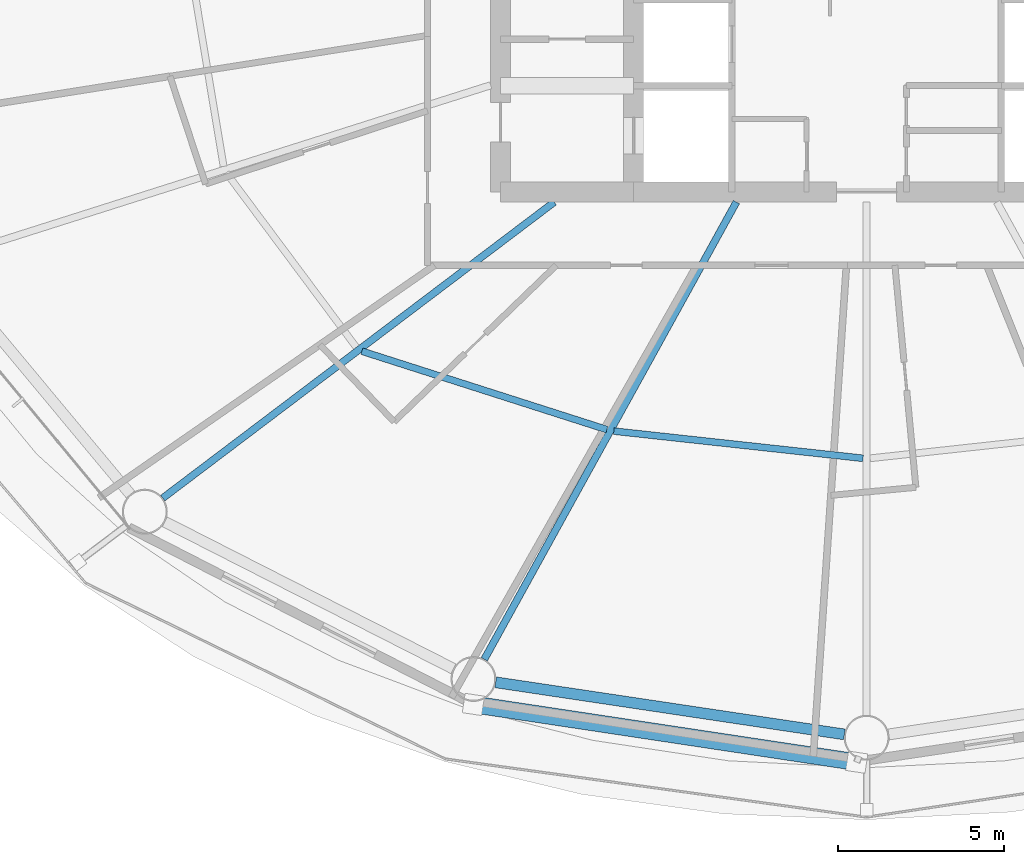
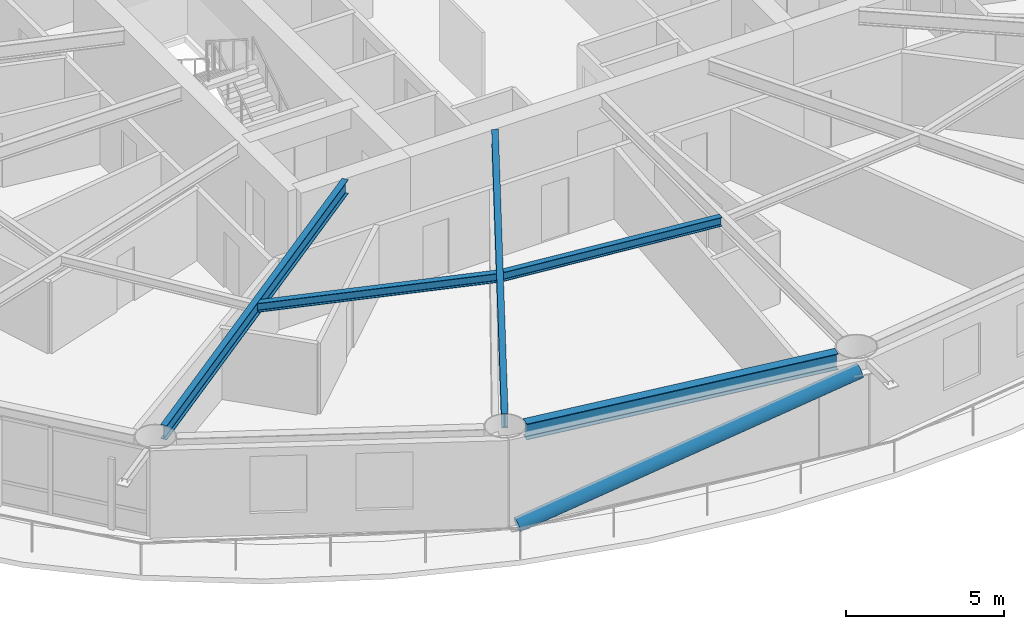
# One storey, part 3 of 26: 5 beams, 1 member.
"""IFC4 building model written with IfcOpenShell, lengths in metres."""

from ifc_helpers import new_model, si_unit, direction, frame, origin, origin_2d, place, context, subcontext, project, spatial, hollow_circle, i_section, extrude, material, material_profile, profile_set, type_object, element, save


model = new_model("IFC4")

# Units and contexts
model_context = context("Model", 3, precision=1e-05, world=origin(), true_north=direction((0.0, 1.0)))
body_context = subcontext(model_context, "Body", "Model", "MODEL_VIEW")
ifc_project = project(units=[si_unit("LENGTHUNIT", "METRE"), si_unit("AREAUNIT", "SQUARE_METRE"), si_unit("VOLUMEUNIT", "CUBIC_METRE"), si_unit("PLANEANGLEUNIT", "RADIAN"), si_unit("MASSUNIT", "GRAM", prefix="KILO")], contexts=[model_context])

# Site, building, storey
site_placement = place(None, origin())
site = spatial("IfcSite", under=ifc_project, at=site_placement, CompositionType="ELEMENT")
building_placement = place(site_placement, origin())
building = spatial("IfcBuilding", under=site, at=building_placement, Name="Sarneth Arch Tower", CompositionType="ELEMENT")
storey_placement = place(building_placement, frame((0.0, 0.0, 60.60009765625)))
storey = spatial("IfcBuildingStorey", under=building, at=storey_placement, Name="L14", CompositionType="ELEMENT", Elevation=60.60009765625)

# Beams
ifc_material_1 = material(Name="Steel S355", Category="steel")
ifc_material_profile_1 = material_profile(ifc_material_1, i_section(OverallWidth=0.2041015625, OverallDepth=0.35009765625, WebThickness=0.008544921875, FlangeThickness=0.01513671875, FilletRadius=0.014892578125, at=origin_2d()), Name="W360x72")
ifc_profile_set_1 = profile_set([ifc_material_profile_1], Name="Steel S355")
beam_type_1 = type_object("IfcBeamType", Name="BM-JOIST-360D", PredefinedType="JOIST", material=ifc_profile_set_1)
beam_1_placement = place(storey_placement, frame((32.82763671875, 30.41845703125, 3.204833984375), z_axis=(0.952436240143, -0.304737934073, 0.0), x_axis=(0.304737934073, 0.952436240143, 0.0)))
element("IfcBeam", 1, at=beam_1_placement, inside=storey, type_object=beam_type_1, Name="L14 Secondary floor joist 11", PredefinedType="JOIST", context=body_context, shape_type="SweptSolid", body=[
    extrude(i_section(OverallWidth=0.2041015625, OverallDepth=0.35009765625, WebThickness=0.008544921875, FlangeThickness=0.01513671875, FilletRadius=0.014892578125, at=origin_2d()), origin(), (0.0, 0.0, 1.0), 7.735107421875),
])
beam_2_placement = place(storey_placement, frame((40.403076171875, 28.016845703125, 3.204833984375), z_axis=(0.994095251924, -0.108510967657, 0.0), x_axis=(0.108510967657, 0.994095251924, 0.0)))
element("IfcBeam", 2, at=beam_2_placement, inside=storey, type_object=beam_type_1, Name="L14 Secondary floor joist 12", PredefinedType="JOIST", context=body_context, shape_type="SweptSolid", body=[
    extrude(i_section(OverallWidth=0.2041015625, OverallDepth=0.35009765625, WebThickness=0.008544921875, FlangeThickness=0.01513671875, FilletRadius=0.014892578125, at=origin_2d()), origin(), (0.0, 0.0, 1.0), 7.534912109375),
])
ifc_material_2 = material(Name="Steel S355", Category="steel")
ifc_material_profile_2 = material_profile(ifc_material_2, i_section(OverallWidth=0.214111328125, OverallDepth=0.549072265625, WebThickness=0.0146484375, FlangeThickness=0.023681640625, FilletRadius=0.01806640625, at=origin_2d()), Name="W530x138")
ifc_profile_set_2 = profile_set([ifc_material_profile_2], Name="Steel S355")
beam_type_2 = type_object("IfcBeamType", Name="BM-RAD-530A", PredefinedType="BEAM", material=ifc_profile_set_2)
beam_3_placement = place(storey_placement, frame((38.609619140625, 34.89990234375, 3.10546875), z_axis=(-0.797656612852, -0.603111870198, 0.0), x_axis=(0.603111870198, -0.797656612852, 0.0)))
element("IfcBeam", 3, at=beam_3_placement, inside=storey, type_object=beam_type_2, Name="L14 Radial floor girder 11", PredefinedType="BEAM", context=body_context, shape_type="SweptSolid", body=[
    extrude(i_section(OverallWidth=0.214111328125, OverallDepth=0.549072265625, WebThickness=0.0146484375, FlangeThickness=0.023681640625, FilletRadius=0.01806640625, at=origin_2d()), origin(), (0.0, 0.0, 1.0), 14.7529296875),
])
beam_4_placement = place(storey_placement, frame((44.08544921875, 34.89990234375, 3.10546875), z_axis=(-0.482837562311, -0.875709933952, 0.0), x_axis=(0.875709933952, -0.482837562311, 0.0)))
element("IfcBeam", 4, at=beam_4_placement, inside=storey, type_object=beam_type_2, Name="L14 Radial floor girder 12", PredefinedType="BEAM", context=body_context, shape_type="SweptSolid", body=[
    extrude(i_section(OverallWidth=0.214111328125, OverallDepth=0.549072265625, WebThickness=0.0146484375, FlangeThickness=0.023681640625, FilletRadius=0.01806640625, at=origin_2d()), origin(), (0.0, 0.0, 1.0), 15.693359375),
])
ifc_material_3 = material(Name="Steel S355", Category="steel")
ifc_material_profile_3 = material_profile(ifc_material_3, i_section(OverallWidth=0.326904296875, OverallDepth=0.6220703125, WebThickness=0.015380859375, FlangeThickness=0.0244140625, FilletRadius=0.01904296875, at=origin_2d()), Name="W610x195")
ifc_profile_set_3 = profile_set([ifc_material_profile_3], Name="Steel S355")
beam_type_3 = type_object("IfcBeamType", Name="BM-SPAN-610A", PredefinedType="SPANDREL", material=ifc_profile_set_3)
beam_5_placement = place(storey_placement, frame((36.849853515625, 20.46630859375, 3.06884765625), z_axis=(0.989015788086, -0.147809914809, 0.0), x_axis=(0.147809914809, 0.989015788086, 0.0)))
element("IfcBeam", 5, at=beam_5_placement, inside=storey, type_object=beam_type_3, Name="L14 Perimeter spandrel beam 12", PredefinedType="SPANDREL", context=body_context, shape_type="SweptSolid", body=[
    extrude(i_section(OverallWidth=0.326904296875, OverallDepth=0.6220703125, WebThickness=0.015380859375, FlangeThickness=0.0244140625, FilletRadius=0.01904296875, at=origin_2d()), origin(), (0.0, 0.0, 1.0), 10.59912109375),
])

# Member
ifc_material_4 = material(Name="Steel S355", Category="steel")
ifc_material_profile_4 = material_profile(ifc_material_4, hollow_circle(Radius=0.25390625, WallThickness=0.01611328125, at=origin_2d()), Name="CHS508x16")
ifc_profile_set_4 = profile_set([ifc_material_profile_4], Name="Steel S355")
member_type = type_object("IfcMemberType", Name="MEM-DIAG-BR1", PredefinedType="BRACE", material=ifc_profile_set_4)
member_placement = place(storey_placement, frame((36.180419921875, 19.80078125, 0.02001953125), z_axis=(0.957880726284, -0.144317340663, 0.248268039422), x_axis=(0.1489817545, 0.988839944999, 0.0)))
element("IfcMember", 6, at=member_placement, inside=storey, type_object=member_type, Name="L14 Perimeter frame diagonal 12", PredefinedType="BRACE", context=body_context, shape_type="SweptSolid", body=[
    extrude(hollow_circle(Radius=0.25390625, WallThickness=0.01611328125, at=origin_2d()), origin(), (0.0, 0.0, 1.0), 12.029541015625),
])

save(model, "model.ifc")
